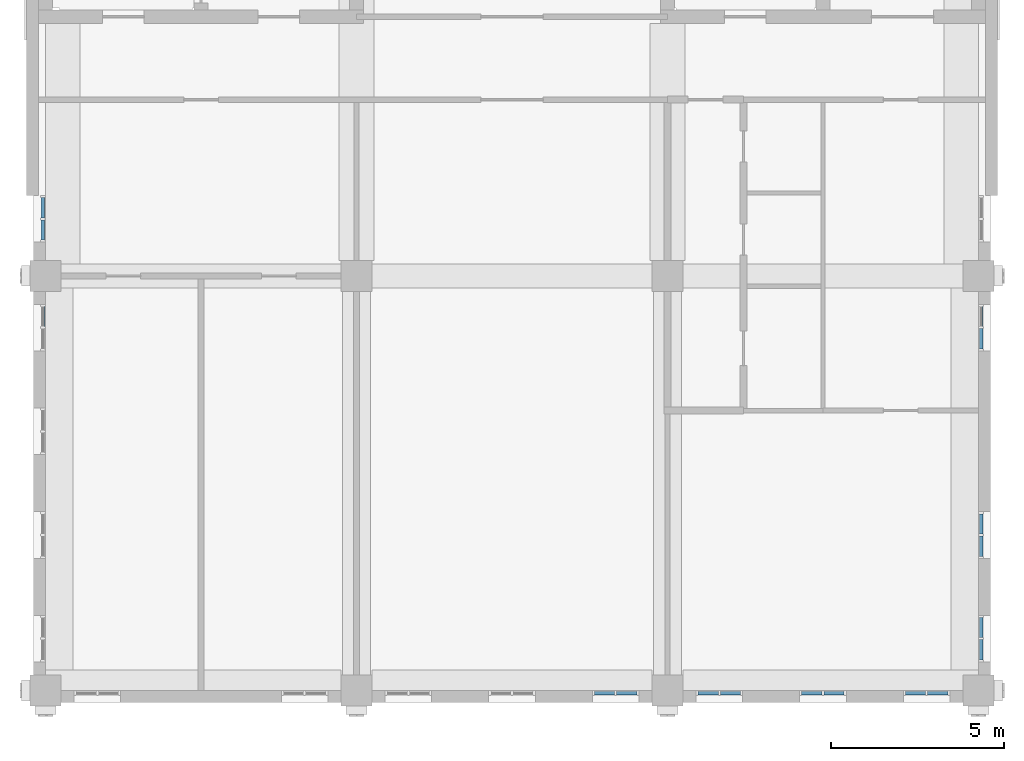
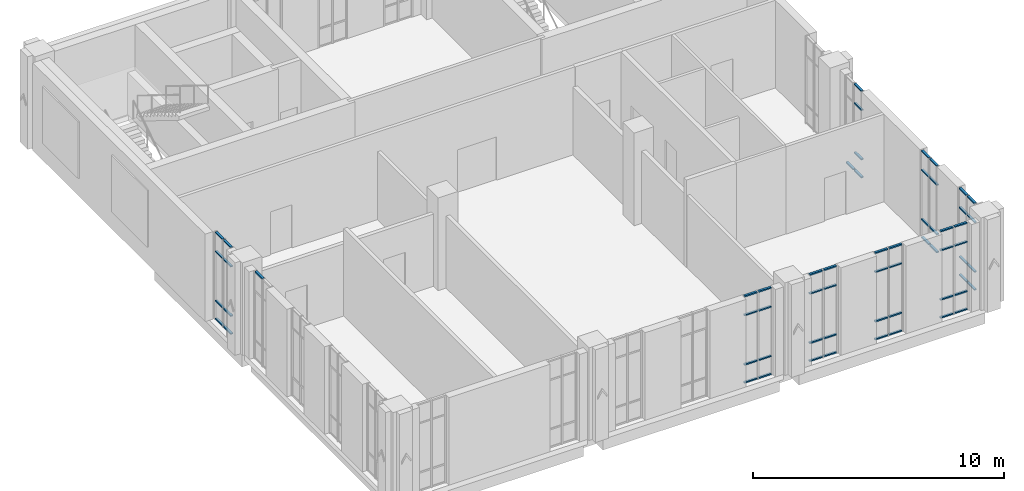
# One storey, part 5 of 13: 62 members, 9 elements without a shape of their own.
"""IFC4 building model written with IfcOpenShell, lengths in metres."""

from ifc_helpers import new_model, si_unit, direction, frame, origin, origin_2d, place, context, subcontext, project, spatial, rectangle, extrude, material, layer, layer_set, material_profile, profile_set, type_object, element, aggregate, save


model = new_model("IFC4")

# Units and contexts
model_context = context("Model", 3, precision=1e-05, world=origin(), true_north=direction((0.0, 1.0)))
body_context = subcontext(model_context, "Body", "Model", "MODEL_VIEW")
ifc_project = project(units=[si_unit("LENGTHUNIT", "METRE"), si_unit("AREAUNIT", "SQUARE_METRE"), si_unit("VOLUMEUNIT", "CUBIC_METRE"), si_unit("PLANEANGLEUNIT", "RADIAN"), si_unit("MASSUNIT", "GRAM", prefix="KILO")], contexts=[model_context])

# Site, building, storey
site_placement = place(None, origin())
site = spatial("IfcSite", under=ifc_project, at=site_placement, CompositionType="ELEMENT")
building_placement = place(site_placement, origin())
building = spatial("IfcBuilding", under=site, at=building_placement, Name="Aurelan Courthouse", CompositionType="ELEMENT")
storey_placement = place(building_placement, frame((0.0, 0.0, 48.89990234375)))
storey = spatial("IfcBuildingStorey", under=building, at=storey_placement, Name="L09", CompositionType="ELEMENT", Elevation=48.89990234375)

# Curtain wall, members
ifc_material_1 = material(Name="Bronze-finished aluminium and glass", Category="aluminium")
ifc_layer = layer(ifc_material_1, 0.14990234375)
ifc_layer_set = layer_set([ifc_layer], Name="Bronze-finished aluminium and glass")
curtain_wall_type = type_object("IfcCurtainWallType", Name="Curtain wall 1350 x 4250", PredefinedType="NOTDEFINED", material=ifc_layer_set)
curtain_wall_1_placement = place(storey_placement, origin())
curtain_wall_1 = element("IfcCurtainWall", 1, at=curtain_wall_1_placement, inside=storey, type_object=curtain_wall_type, Name="Curtain wall CW-V5-L09-S05", PredefinedType="NOTDEFINED")
ifc_material_2 = material(Name="Bronze-finished aluminium", Category="aluminium")
ifc_material_profile = material_profile(ifc_material_2, rectangle(XDim=0.10009765625, YDim=0.06005859375, at=origin_2d()), Name="Bronze transom 60 x 100")
ifc_profile_set = profile_set([ifc_material_profile], Name="Bronze-finished aluminium")
member_type = type_object("IfcMemberType", Name="Curtain wall transom 60 x 100", PredefinedType="USERDEFINED", material=ifc_profile_set)
member_1_placement = place(storey_placement, frame((15.885009765625, -0.074951171875, 0.030029296875), z_axis=(1.0, 0.0, 0.0), x_axis=(0.0, 1.0, 0.0)))
member_1 = element("IfcMember", 2, at=member_1_placement, type_object=member_type, Name="CW-V5-L09-S05 transom 1.1", ObjectType="TRANSOM", PredefinedType="USERDEFINED", context=body_context, shape_type="SweptSolid", body=[
    extrude(rectangle(XDim=0.10009765625, YDim=0.06005859375, at=origin_2d()), origin(), (0.0, 0.0, 1.0), 0.5849609375),
])
member_2_placement = place(storey_placement, frame((15.885009765625, -0.074951171875, 0.900146484375), z_axis=(1.0, 0.0, 0.0), x_axis=(0.0, 1.0, 0.0)))
member_2 = element("IfcMember", 3, at=member_2_placement, type_object=member_type, Name="CW-V5-L09-S05 transom 1.2", ObjectType="TRANSOM", PredefinedType="USERDEFINED", context=body_context, shape_type="SweptSolid", body=[
    extrude(rectangle(XDim=0.10009765625, YDim=0.06005859375, at=origin_2d()), origin(), (0.0, 0.0, 1.0), 0.5849609375),
])
member_3_placement = place(storey_placement, frame((15.885009765625, -0.074951171875, 3.300048828125), z_axis=(1.0, 0.0, 0.0), x_axis=(0.0, 1.0, 0.0)))
member_3 = element("IfcMember", 4, at=member_3_placement, type_object=member_type, Name="CW-V5-L09-S05 transom 1.3", ObjectType="TRANSOM", PredefinedType="USERDEFINED", context=body_context, shape_type="SweptSolid", body=[
    extrude(rectangle(XDim=0.10009765625, YDim=0.06005859375, at=origin_2d()), origin(), (0.0, 0.0, 1.0), 0.5849609375),
])
member_4_placement = place(storey_placement, frame((15.885009765625, -0.074951171875, 4.22021484375), z_axis=(1.0, 0.0, 0.0), x_axis=(0.0, 1.0, 0.0)))
member_4 = element("IfcMember", 5, at=member_4_placement, type_object=member_type, Name="CW-V5-L09-S05 transom 1.4", ObjectType="TRANSOM", PredefinedType="USERDEFINED", context=body_context, shape_type="SweptSolid", body=[
    extrude(rectangle(XDim=0.10009765625, YDim=0.06005859375, at=origin_2d()), origin(), (0.0, 0.0, 1.0), 0.5849609375),
])
member_5_placement = place(storey_placement, frame((16.530029296875, -0.074951171875, 0.030029296875), z_axis=(1.0, 0.0, 0.0), x_axis=(0.0, 1.0, 0.0)))
member_5 = element("IfcMember", 6, at=member_5_placement, type_object=member_type, Name="CW-V5-L09-S05 transom 2.1", ObjectType="TRANSOM", PredefinedType="USERDEFINED", context=body_context, shape_type="SweptSolid", body=[
    extrude(rectangle(XDim=0.10009765625, YDim=0.06005859375, at=origin_2d()), origin(), (0.0, 0.0, 1.0), 0.5849609375),
])
member_6_placement = place(storey_placement, frame((16.530029296875, -0.074951171875, 0.900146484375), z_axis=(1.0, 0.0, 0.0), x_axis=(0.0, 1.0, 0.0)))
member_6 = element("IfcMember", 7, at=member_6_placement, type_object=member_type, Name="CW-V5-L09-S05 transom 2.2", ObjectType="TRANSOM", PredefinedType="USERDEFINED", context=body_context, shape_type="SweptSolid", body=[
    extrude(rectangle(XDim=0.10009765625, YDim=0.06005859375, at=origin_2d()), origin(), (0.0, 0.0, 1.0), 0.5849609375),
])
member_7_placement = place(storey_placement, frame((16.530029296875, -0.074951171875, 3.300048828125), z_axis=(1.0, 0.0, 0.0), x_axis=(0.0, 1.0, 0.0)))
member_7 = element("IfcMember", 8, at=member_7_placement, type_object=member_type, Name="CW-V5-L09-S05 transom 2.3", ObjectType="TRANSOM", PredefinedType="USERDEFINED", context=body_context, shape_type="SweptSolid", body=[
    extrude(rectangle(XDim=0.10009765625, YDim=0.06005859375, at=origin_2d()), origin(), (0.0, 0.0, 1.0), 0.5849609375),
])
member_8_placement = place(storey_placement, frame((16.530029296875, -0.074951171875, 4.22021484375), z_axis=(1.0, 0.0, 0.0), x_axis=(0.0, 1.0, 0.0)))
member_8 = element("IfcMember", 9, at=member_8_placement, type_object=member_type, Name="CW-V5-L09-S05 transom 2.4", ObjectType="TRANSOM", PredefinedType="USERDEFINED", context=body_context, shape_type="SweptSolid", body=[
    extrude(rectangle(XDim=0.10009765625, YDim=0.06005859375, at=origin_2d()), origin(), (0.0, 0.0, 1.0), 0.5849609375),
])
aggregate(curtain_wall_1, [member_1, member_2, member_3, member_4, member_5, member_6, member_7, member_8])

curtain_wall_2_placement = place(storey_placement, origin())
curtain_wall_2 = element("IfcCurtainWall", 10, at=curtain_wall_2_placement, inside=storey, type_object=curtain_wall_type, Name="Curtain wall CW-V5-L09-S06", PredefinedType="NOTDEFINED")
member_9_placement = place(storey_placement, frame((18.885009765625, -0.074951171875, 0.030029296875), z_axis=(1.0, 0.0, 0.0), x_axis=(0.0, 1.0, 0.0)))
member_9 = element("IfcMember", 11, at=member_9_placement, type_object=member_type, Name="CW-V5-L09-S06 transom 1.1", ObjectType="TRANSOM", PredefinedType="USERDEFINED", context=body_context, shape_type="SweptSolid", body=[
    extrude(rectangle(XDim=0.10009765625, YDim=0.06005859375, at=origin_2d()), origin(), (0.0, 0.0, 1.0), 0.5849609375),
])
member_10_placement = place(storey_placement, frame((18.885009765625, -0.074951171875, 0.900146484375), z_axis=(1.0, 0.0, 0.0), x_axis=(0.0, 1.0, 0.0)))
member_10 = element("IfcMember", 12, at=member_10_placement, type_object=member_type, Name="CW-V5-L09-S06 transom 1.2", ObjectType="TRANSOM", PredefinedType="USERDEFINED", context=body_context, shape_type="SweptSolid", body=[
    extrude(rectangle(XDim=0.10009765625, YDim=0.06005859375, at=origin_2d()), origin(), (0.0, 0.0, 1.0), 0.5849609375),
])
member_11_placement = place(storey_placement, frame((18.885009765625, -0.074951171875, 3.300048828125), z_axis=(1.0, 0.0, 0.0), x_axis=(0.0, 1.0, 0.0)))
member_11 = element("IfcMember", 13, at=member_11_placement, type_object=member_type, Name="CW-V5-L09-S06 transom 1.3", ObjectType="TRANSOM", PredefinedType="USERDEFINED", context=body_context, shape_type="SweptSolid", body=[
    extrude(rectangle(XDim=0.10009765625, YDim=0.06005859375, at=origin_2d()), origin(), (0.0, 0.0, 1.0), 0.5849609375),
])
member_12_placement = place(storey_placement, frame((18.885009765625, -0.074951171875, 4.22021484375), z_axis=(1.0, 0.0, 0.0), x_axis=(0.0, 1.0, 0.0)))
member_12 = element("IfcMember", 14, at=member_12_placement, type_object=member_type, Name="CW-V5-L09-S06 transom 1.4", ObjectType="TRANSOM", PredefinedType="USERDEFINED", context=body_context, shape_type="SweptSolid", body=[
    extrude(rectangle(XDim=0.10009765625, YDim=0.06005859375, at=origin_2d()), origin(), (0.0, 0.0, 1.0), 0.5849609375),
])
member_13_placement = place(storey_placement, frame((19.530029296875, -0.074951171875, 0.030029296875), z_axis=(1.0, 0.0, 0.0), x_axis=(0.0, 1.0, 0.0)))
member_13 = element("IfcMember", 15, at=member_13_placement, type_object=member_type, Name="CW-V5-L09-S06 transom 2.1", ObjectType="TRANSOM", PredefinedType="USERDEFINED", context=body_context, shape_type="SweptSolid", body=[
    extrude(rectangle(XDim=0.10009765625, YDim=0.06005859375, at=origin_2d()), origin(), (0.0, 0.0, 1.0), 0.5849609375),
])
member_14_placement = place(storey_placement, frame((19.530029296875, -0.074951171875, 0.900146484375), z_axis=(1.0, 0.0, 0.0), x_axis=(0.0, 1.0, 0.0)))
member_14 = element("IfcMember", 16, at=member_14_placement, type_object=member_type, Name="CW-V5-L09-S06 transom 2.2", ObjectType="TRANSOM", PredefinedType="USERDEFINED", context=body_context, shape_type="SweptSolid", body=[
    extrude(rectangle(XDim=0.10009765625, YDim=0.06005859375, at=origin_2d()), origin(), (0.0, 0.0, 1.0), 0.5849609375),
])
member_15_placement = place(storey_placement, frame((19.530029296875, -0.074951171875, 3.300048828125), z_axis=(1.0, 0.0, 0.0), x_axis=(0.0, 1.0, 0.0)))
member_15 = element("IfcMember", 17, at=member_15_placement, type_object=member_type, Name="CW-V5-L09-S06 transom 2.3", ObjectType="TRANSOM", PredefinedType="USERDEFINED", context=body_context, shape_type="SweptSolid", body=[
    extrude(rectangle(XDim=0.10009765625, YDim=0.06005859375, at=origin_2d()), origin(), (0.0, 0.0, 1.0), 0.5849609375),
])
member_16_placement = place(storey_placement, frame((19.530029296875, -0.074951171875, 4.22021484375), z_axis=(1.0, 0.0, 0.0), x_axis=(0.0, 1.0, 0.0)))
member_16 = element("IfcMember", 18, at=member_16_placement, type_object=member_type, Name="CW-V5-L09-S06 transom 2.4", ObjectType="TRANSOM", PredefinedType="USERDEFINED", context=body_context, shape_type="SweptSolid", body=[
    extrude(rectangle(XDim=0.10009765625, YDim=0.06005859375, at=origin_2d()), origin(), (0.0, 0.0, 1.0), 0.5849609375),
])
aggregate(curtain_wall_2, [member_9, member_10, member_11, member_12, member_13, member_14, member_15, member_16])

curtain_wall_3_placement = place(storey_placement, origin())
curtain_wall_3 = element("IfcCurtainWall", 19, at=curtain_wall_3_placement, inside=storey, type_object=curtain_wall_type, Name="Curtain wall CW-V5-L09-S07", PredefinedType="NOTDEFINED")
member_17_placement = place(storey_placement, frame((21.885009765625, -0.074951171875, 0.030029296875), z_axis=(1.0, 0.0, 0.0), x_axis=(0.0, 1.0, 0.0)))
member_17 = element("IfcMember", 20, at=member_17_placement, type_object=member_type, Name="CW-V5-L09-S07 transom 1.1", ObjectType="TRANSOM", PredefinedType="USERDEFINED", context=body_context, shape_type="SweptSolid", body=[
    extrude(rectangle(XDim=0.10009765625, YDim=0.06005859375, at=origin_2d()), origin(), (0.0, 0.0, 1.0), 0.5849609375),
])
member_18_placement = place(storey_placement, frame((21.885009765625, -0.074951171875, 0.900146484375), z_axis=(1.0, 0.0, 0.0), x_axis=(0.0, 1.0, 0.0)))
member_18 = element("IfcMember", 21, at=member_18_placement, type_object=member_type, Name="CW-V5-L09-S07 transom 1.2", ObjectType="TRANSOM", PredefinedType="USERDEFINED", context=body_context, shape_type="SweptSolid", body=[
    extrude(rectangle(XDim=0.10009765625, YDim=0.06005859375, at=origin_2d()), origin(), (0.0, 0.0, 1.0), 0.5849609375),
])
member_19_placement = place(storey_placement, frame((21.885009765625, -0.074951171875, 3.300048828125), z_axis=(1.0, 0.0, 0.0), x_axis=(0.0, 1.0, 0.0)))
member_19 = element("IfcMember", 22, at=member_19_placement, type_object=member_type, Name="CW-V5-L09-S07 transom 1.3", ObjectType="TRANSOM", PredefinedType="USERDEFINED", context=body_context, shape_type="SweptSolid", body=[
    extrude(rectangle(XDim=0.10009765625, YDim=0.06005859375, at=origin_2d()), origin(), (0.0, 0.0, 1.0), 0.5849609375),
])
member_20_placement = place(storey_placement, frame((21.885009765625, -0.074951171875, 4.22021484375), z_axis=(1.0, 0.0, 0.0), x_axis=(0.0, 1.0, 0.0)))
member_20 = element("IfcMember", 23, at=member_20_placement, type_object=member_type, Name="CW-V5-L09-S07 transom 1.4", ObjectType="TRANSOM", PredefinedType="USERDEFINED", context=body_context, shape_type="SweptSolid", body=[
    extrude(rectangle(XDim=0.10009765625, YDim=0.06005859375, at=origin_2d()), origin(), (0.0, 0.0, 1.0), 0.5849609375),
])
member_21_placement = place(storey_placement, frame((22.530029296875, -0.074951171875, 0.030029296875), z_axis=(1.0, 0.0, 0.0), x_axis=(0.0, 1.0, 0.0)))
member_21 = element("IfcMember", 24, at=member_21_placement, type_object=member_type, Name="CW-V5-L09-S07 transom 2.1", ObjectType="TRANSOM", PredefinedType="USERDEFINED", context=body_context, shape_type="SweptSolid", body=[
    extrude(rectangle(XDim=0.10009765625, YDim=0.06005859375, at=origin_2d()), origin(), (0.0, 0.0, 1.0), 0.5849609375),
])
member_22_placement = place(storey_placement, frame((22.530029296875, -0.074951171875, 0.900146484375), z_axis=(1.0, 0.0, 0.0), x_axis=(0.0, 1.0, 0.0)))
member_22 = element("IfcMember", 25, at=member_22_placement, type_object=member_type, Name="CW-V5-L09-S07 transom 2.2", ObjectType="TRANSOM", PredefinedType="USERDEFINED", context=body_context, shape_type="SweptSolid", body=[
    extrude(rectangle(XDim=0.10009765625, YDim=0.06005859375, at=origin_2d()), origin(), (0.0, 0.0, 1.0), 0.5849609375),
])
member_23_placement = place(storey_placement, frame((22.530029296875, -0.074951171875, 3.300048828125), z_axis=(1.0, 0.0, 0.0), x_axis=(0.0, 1.0, 0.0)))
member_23 = element("IfcMember", 26, at=member_23_placement, type_object=member_type, Name="CW-V5-L09-S07 transom 2.3", ObjectType="TRANSOM", PredefinedType="USERDEFINED", context=body_context, shape_type="SweptSolid", body=[
    extrude(rectangle(XDim=0.10009765625, YDim=0.06005859375, at=origin_2d()), origin(), (0.0, 0.0, 1.0), 0.5849609375),
])
member_24_placement = place(storey_placement, frame((22.530029296875, -0.074951171875, 4.22021484375), z_axis=(1.0, 0.0, 0.0), x_axis=(0.0, 1.0, 0.0)))
member_24 = element("IfcMember", 27, at=member_24_placement, type_object=member_type, Name="CW-V5-L09-S07 transom 2.4", ObjectType="TRANSOM", PredefinedType="USERDEFINED", context=body_context, shape_type="SweptSolid", body=[
    extrude(rectangle(XDim=0.10009765625, YDim=0.06005859375, at=origin_2d()), origin(), (0.0, 0.0, 1.0), 0.5849609375),
])
aggregate(curtain_wall_3, [member_17, member_18, member_19, member_20, member_21, member_22, member_23, member_24])

curtain_wall_4_placement = place(storey_placement, origin())
curtain_wall_4 = element("IfcCurtainWall", 28, at=curtain_wall_4_placement, inside=storey, type_object=curtain_wall_type, Name="Curtain wall CW-V5-L09-S08", PredefinedType="NOTDEFINED")
member_25_placement = place(storey_placement, frame((24.885009765625, -0.074951171875, 0.030029296875), z_axis=(1.0, 0.0, 0.0), x_axis=(0.0, 1.0, 0.0)))
member_25 = element("IfcMember", 29, at=member_25_placement, type_object=member_type, Name="CW-V5-L09-S08 transom 1.1", ObjectType="TRANSOM", PredefinedType="USERDEFINED", context=body_context, shape_type="SweptSolid", body=[
    extrude(rectangle(XDim=0.10009765625, YDim=0.06005859375, at=origin_2d()), origin(), (0.0, 0.0, 1.0), 0.5849609375),
])
member_26_placement = place(storey_placement, frame((24.885009765625, -0.074951171875, 0.900146484375), z_axis=(1.0, 0.0, 0.0), x_axis=(0.0, 1.0, 0.0)))
member_26 = element("IfcMember", 30, at=member_26_placement, type_object=member_type, Name="CW-V5-L09-S08 transom 1.2", ObjectType="TRANSOM", PredefinedType="USERDEFINED", context=body_context, shape_type="SweptSolid", body=[
    extrude(rectangle(XDim=0.10009765625, YDim=0.06005859375, at=origin_2d()), origin(), (0.0, 0.0, 1.0), 0.5849609375),
])
member_27_placement = place(storey_placement, frame((24.885009765625, -0.074951171875, 3.300048828125), z_axis=(1.0, 0.0, 0.0), x_axis=(0.0, 1.0, 0.0)))
member_27 = element("IfcMember", 31, at=member_27_placement, type_object=member_type, Name="CW-V5-L09-S08 transom 1.3", ObjectType="TRANSOM", PredefinedType="USERDEFINED", context=body_context, shape_type="SweptSolid", body=[
    extrude(rectangle(XDim=0.10009765625, YDim=0.06005859375, at=origin_2d()), origin(), (0.0, 0.0, 1.0), 0.5849609375),
])
member_28_placement = place(storey_placement, frame((24.885009765625, -0.074951171875, 4.22021484375), z_axis=(1.0, 0.0, 0.0), x_axis=(0.0, 1.0, 0.0)))
member_28 = element("IfcMember", 32, at=member_28_placement, type_object=member_type, Name="CW-V5-L09-S08 transom 1.4", ObjectType="TRANSOM", PredefinedType="USERDEFINED", context=body_context, shape_type="SweptSolid", body=[
    extrude(rectangle(XDim=0.10009765625, YDim=0.06005859375, at=origin_2d()), origin(), (0.0, 0.0, 1.0), 0.5849609375),
])
member_29_placement = place(storey_placement, frame((25.530029296875, -0.074951171875, 0.030029296875), z_axis=(1.0, 0.0, 0.0), x_axis=(0.0, 1.0, 0.0)))
member_29 = element("IfcMember", 33, at=member_29_placement, type_object=member_type, Name="CW-V5-L09-S08 transom 2.1", ObjectType="TRANSOM", PredefinedType="USERDEFINED", context=body_context, shape_type="SweptSolid", body=[
    extrude(rectangle(XDim=0.10009765625, YDim=0.06005859375, at=origin_2d()), origin(), (0.0, 0.0, 1.0), 0.5849609375),
])
member_30_placement = place(storey_placement, frame((25.530029296875, -0.074951171875, 0.900146484375), z_axis=(1.0, 0.0, 0.0), x_axis=(0.0, 1.0, 0.0)))
member_30 = element("IfcMember", 34, at=member_30_placement, type_object=member_type, Name="CW-V5-L09-S08 transom 2.2", ObjectType="TRANSOM", PredefinedType="USERDEFINED", context=body_context, shape_type="SweptSolid", body=[
    extrude(rectangle(XDim=0.10009765625, YDim=0.06005859375, at=origin_2d()), origin(), (0.0, 0.0, 1.0), 0.5849609375),
])
member_31_placement = place(storey_placement, frame((25.530029296875, -0.074951171875, 3.300048828125), z_axis=(1.0, 0.0, 0.0), x_axis=(0.0, 1.0, 0.0)))
member_31 = element("IfcMember", 35, at=member_31_placement, type_object=member_type, Name="CW-V5-L09-S08 transom 2.3", ObjectType="TRANSOM", PredefinedType="USERDEFINED", context=body_context, shape_type="SweptSolid", body=[
    extrude(rectangle(XDim=0.10009765625, YDim=0.06005859375, at=origin_2d()), origin(), (0.0, 0.0, 1.0), 0.5849609375),
])
member_32_placement = place(storey_placement, frame((25.530029296875, -0.074951171875, 4.22021484375), z_axis=(1.0, 0.0, 0.0), x_axis=(0.0, 1.0, 0.0)))
member_32 = element("IfcMember", 36, at=member_32_placement, type_object=member_type, Name="CW-V5-L09-S08 transom 2.4", ObjectType="TRANSOM", PredefinedType="USERDEFINED", context=body_context, shape_type="SweptSolid", body=[
    extrude(rectangle(XDim=0.10009765625, YDim=0.06005859375, at=origin_2d()), origin(), (0.0, 0.0, 1.0), 0.5849609375),
])
aggregate(curtain_wall_4, [member_25, member_26, member_27, member_28, member_29, member_30, member_31, member_32])

curtain_wall_5_placement = place(storey_placement, origin())
curtain_wall_5 = element("IfcCurtainWall", 37, at=curtain_wall_5_placement, inside=storey, type_object=curtain_wall_type, Name="Curtain wall CW-V5-L09-E01", PredefinedType="NOTDEFINED")
member_33_placement = place(storey_placement, frame((27.074951171875, 0.885009765625, 0.030029296875), z_axis=(0.0, 1.0, 0.0), x_axis=(-1.0, 0.0, 0.0)))
member_33 = element("IfcMember", 38, at=member_33_placement, type_object=member_type, Name="CW-V5-L09-E01 transom 1.1", ObjectType="TRANSOM", PredefinedType="USERDEFINED", context=body_context, shape_type="SweptSolid", body=[
    extrude(rectangle(XDim=0.10009765625, YDim=0.06005859375, at=origin_2d()), origin(), (0.0, 0.0, 1.0), 0.5849609375),
])
member_34_placement = place(storey_placement, frame((27.074951171875, 0.885009765625, 0.900146484375), z_axis=(0.0, 1.0, 0.0), x_axis=(-1.0, 0.0, 0.0)))
member_34 = element("IfcMember", 39, at=member_34_placement, type_object=member_type, Name="CW-V5-L09-E01 transom 1.2", ObjectType="TRANSOM", PredefinedType="USERDEFINED", context=body_context, shape_type="SweptSolid", body=[
    extrude(rectangle(XDim=0.10009765625, YDim=0.06005859375, at=origin_2d()), origin(), (0.0, 0.0, 1.0), 0.5849609375),
])
member_35_placement = place(storey_placement, frame((27.074951171875, 0.885009765625, 3.300048828125), z_axis=(0.0, 1.0, 0.0), x_axis=(-1.0, 0.0, 0.0)))
member_35 = element("IfcMember", 40, at=member_35_placement, type_object=member_type, Name="CW-V5-L09-E01 transom 1.3", ObjectType="TRANSOM", PredefinedType="USERDEFINED", context=body_context, shape_type="SweptSolid", body=[
    extrude(rectangle(XDim=0.10009765625, YDim=0.06005859375, at=origin_2d()), origin(), (0.0, 0.0, 1.0), 0.5849609375),
])
member_36_placement = place(storey_placement, frame((27.074951171875, 0.885009765625, 4.22021484375), z_axis=(0.0, 1.0, 0.0), x_axis=(-1.0, 0.0, 0.0)))
member_36 = element("IfcMember", 41, at=member_36_placement, type_object=member_type, Name="CW-V5-L09-E01 transom 1.4", ObjectType="TRANSOM", PredefinedType="USERDEFINED", context=body_context, shape_type="SweptSolid", body=[
    extrude(rectangle(XDim=0.10009765625, YDim=0.06005859375, at=origin_2d()), origin(), (0.0, 0.0, 1.0), 0.5849609375),
])
member_37_placement = place(storey_placement, frame((27.074951171875, 1.530029296875, 0.030029296875), z_axis=(0.0, 1.0, 0.0), x_axis=(-1.0, 0.0, 0.0)))
member_37 = element("IfcMember", 42, at=member_37_placement, type_object=member_type, Name="CW-V5-L09-E01 transom 2.1", ObjectType="TRANSOM", PredefinedType="USERDEFINED", context=body_context, shape_type="SweptSolid", body=[
    extrude(rectangle(XDim=0.10009765625, YDim=0.06005859375, at=origin_2d()), origin(), (0.0, 0.0, 1.0), 0.5849609375),
])
member_38_placement = place(storey_placement, frame((27.074951171875, 1.530029296875, 0.900146484375), z_axis=(0.0, 1.0, 0.0), x_axis=(-1.0, 0.0, 0.0)))
member_38 = element("IfcMember", 43, at=member_38_placement, type_object=member_type, Name="CW-V5-L09-E01 transom 2.2", ObjectType="TRANSOM", PredefinedType="USERDEFINED", context=body_context, shape_type="SweptSolid", body=[
    extrude(rectangle(XDim=0.10009765625, YDim=0.06005859375, at=origin_2d()), origin(), (0.0, 0.0, 1.0), 0.5849609375),
])
member_39_placement = place(storey_placement, frame((27.074951171875, 1.530029296875, 3.300048828125), z_axis=(0.0, 1.0, 0.0), x_axis=(-1.0, 0.0, 0.0)))
member_39 = element("IfcMember", 44, at=member_39_placement, type_object=member_type, Name="CW-V5-L09-E01 transom 2.3", ObjectType="TRANSOM", PredefinedType="USERDEFINED", context=body_context, shape_type="SweptSolid", body=[
    extrude(rectangle(XDim=0.10009765625, YDim=0.06005859375, at=origin_2d()), origin(), (0.0, 0.0, 1.0), 0.5849609375),
])
member_40_placement = place(storey_placement, frame((27.074951171875, 1.530029296875, 4.22021484375), z_axis=(0.0, 1.0, 0.0), x_axis=(-1.0, 0.0, 0.0)))
member_40 = element("IfcMember", 45, at=member_40_placement, type_object=member_type, Name="CW-V5-L09-E01 transom 2.4", ObjectType="TRANSOM", PredefinedType="USERDEFINED", context=body_context, shape_type="SweptSolid", body=[
    extrude(rectangle(XDim=0.10009765625, YDim=0.06005859375, at=origin_2d()), origin(), (0.0, 0.0, 1.0), 0.5849609375),
])
aggregate(curtain_wall_5, [member_33, member_34, member_35, member_36, member_37, member_38, member_39, member_40])

curtain_wall_6_placement = place(storey_placement, origin())
curtain_wall_6 = element("IfcCurtainWall", 46, at=curtain_wall_6_placement, inside=storey, type_object=curtain_wall_type, Name="Curtain wall CW-V5-L09-E02", PredefinedType="NOTDEFINED")
member_41_placement = place(storey_placement, frame((27.074951171875, 3.885009765625, 0.030029296875), z_axis=(0.0, 1.0, 0.0), x_axis=(-1.0, 0.0, 0.0)))
member_41 = element("IfcMember", 47, at=member_41_placement, type_object=member_type, Name="CW-V5-L09-E02 transom 1.1", ObjectType="TRANSOM", PredefinedType="USERDEFINED", context=body_context, shape_type="SweptSolid", body=[
    extrude(rectangle(XDim=0.10009765625, YDim=0.06005859375, at=origin_2d()), origin(), (0.0, 0.0, 1.0), 0.5849609375),
])
member_42_placement = place(storey_placement, frame((27.074951171875, 3.885009765625, 0.900146484375), z_axis=(0.0, 1.0, 0.0), x_axis=(-1.0, 0.0, 0.0)))
member_42 = element("IfcMember", 48, at=member_42_placement, type_object=member_type, Name="CW-V5-L09-E02 transom 1.2", ObjectType="TRANSOM", PredefinedType="USERDEFINED", context=body_context, shape_type="SweptSolid", body=[
    extrude(rectangle(XDim=0.10009765625, YDim=0.06005859375, at=origin_2d()), origin(), (0.0, 0.0, 1.0), 0.5849609375),
])
member_43_placement = place(storey_placement, frame((27.074951171875, 3.885009765625, 3.300048828125), z_axis=(0.0, 1.0, 0.0), x_axis=(-1.0, 0.0, 0.0)))
member_43 = element("IfcMember", 49, at=member_43_placement, type_object=member_type, Name="CW-V5-L09-E02 transom 1.3", ObjectType="TRANSOM", PredefinedType="USERDEFINED", context=body_context, shape_type="SweptSolid", body=[
    extrude(rectangle(XDim=0.10009765625, YDim=0.06005859375, at=origin_2d()), origin(), (0.0, 0.0, 1.0), 0.5849609375),
])
member_44_placement = place(storey_placement, frame((27.074951171875, 3.885009765625, 4.22021484375), z_axis=(0.0, 1.0, 0.0), x_axis=(-1.0, 0.0, 0.0)))
member_44 = element("IfcMember", 50, at=member_44_placement, type_object=member_type, Name="CW-V5-L09-E02 transom 1.4", ObjectType="TRANSOM", PredefinedType="USERDEFINED", context=body_context, shape_type="SweptSolid", body=[
    extrude(rectangle(XDim=0.10009765625, YDim=0.06005859375, at=origin_2d()), origin(), (0.0, 0.0, 1.0), 0.5849609375),
])
member_45_placement = place(storey_placement, frame((27.074951171875, 4.530029296875, 0.030029296875), z_axis=(0.0, 1.0, 0.0), x_axis=(-1.0, 0.0, 0.0)))
member_45 = element("IfcMember", 51, at=member_45_placement, type_object=member_type, Name="CW-V5-L09-E02 transom 2.1", ObjectType="TRANSOM", PredefinedType="USERDEFINED", context=body_context, shape_type="SweptSolid", body=[
    extrude(rectangle(XDim=0.10009765625, YDim=0.06005859375, at=origin_2d()), origin(), (0.0, 0.0, 1.0), 0.5849609375),
])
member_46_placement = place(storey_placement, frame((27.074951171875, 4.530029296875, 0.900146484375), z_axis=(0.0, 1.0, 0.0), x_axis=(-1.0, 0.0, 0.0)))
member_46 = element("IfcMember", 52, at=member_46_placement, type_object=member_type, Name="CW-V5-L09-E02 transom 2.2", ObjectType="TRANSOM", PredefinedType="USERDEFINED", context=body_context, shape_type="SweptSolid", body=[
    extrude(rectangle(XDim=0.10009765625, YDim=0.06005859375, at=origin_2d()), origin(), (0.0, 0.0, 1.0), 0.5849609375),
])
member_47_placement = place(storey_placement, frame((27.074951171875, 4.530029296875, 3.300048828125), z_axis=(0.0, 1.0, 0.0), x_axis=(-1.0, 0.0, 0.0)))
member_47 = element("IfcMember", 53, at=member_47_placement, type_object=member_type, Name="CW-V5-L09-E02 transom 2.3", ObjectType="TRANSOM", PredefinedType="USERDEFINED", context=body_context, shape_type="SweptSolid", body=[
    extrude(rectangle(XDim=0.10009765625, YDim=0.06005859375, at=origin_2d()), origin(), (0.0, 0.0, 1.0), 0.5849609375),
])
member_48_placement = place(storey_placement, frame((27.074951171875, 4.530029296875, 4.22021484375), z_axis=(0.0, 1.0, 0.0), x_axis=(-1.0, 0.0, 0.0)))
member_48 = element("IfcMember", 54, at=member_48_placement, type_object=member_type, Name="CW-V5-L09-E02 transom 2.4", ObjectType="TRANSOM", PredefinedType="USERDEFINED", context=body_context, shape_type="SweptSolid", body=[
    extrude(rectangle(XDim=0.10009765625, YDim=0.06005859375, at=origin_2d()), origin(), (0.0, 0.0, 1.0), 0.5849609375),
])
aggregate(curtain_wall_6, [member_41, member_42, member_43, member_44, member_45, member_46, member_47, member_48])

curtain_wall_7_placement = place(storey_placement, origin())
curtain_wall_7 = element("IfcCurtainWall", 55, at=curtain_wall_7_placement, inside=storey, type_object=curtain_wall_type, Name="Curtain wall CW-V5-L09-E03", PredefinedType="NOTDEFINED")
member_49_placement = place(storey_placement, frame((27.074951171875, 9.885009765625, 0.030029296875), z_axis=(0.0, 1.0, 0.0), x_axis=(-1.0, 0.0, 0.0)))
member_49 = element("IfcMember", 56, at=member_49_placement, type_object=member_type, Name="CW-V5-L09-E03 transom 1.1", ObjectType="TRANSOM", PredefinedType="USERDEFINED", context=body_context, shape_type="SweptSolid", body=[
    extrude(rectangle(XDim=0.10009765625, YDim=0.06005859375, at=origin_2d()), origin(), (0.0, 0.0, 1.0), 0.5849609375),
])
member_50_placement = place(storey_placement, frame((27.074951171875, 9.885009765625, 0.900146484375), z_axis=(0.0, 1.0, 0.0), x_axis=(-1.0, 0.0, 0.0)))
member_50 = element("IfcMember", 57, at=member_50_placement, type_object=member_type, Name="CW-V5-L09-E03 transom 1.2", ObjectType="TRANSOM", PredefinedType="USERDEFINED", context=body_context, shape_type="SweptSolid", body=[
    extrude(rectangle(XDim=0.10009765625, YDim=0.06005859375, at=origin_2d()), origin(), (0.0, 0.0, 1.0), 0.5849609375),
])
member_51_placement = place(storey_placement, frame((27.074951171875, 9.885009765625, 3.300048828125), z_axis=(0.0, 1.0, 0.0), x_axis=(-1.0, 0.0, 0.0)))
member_51 = element("IfcMember", 58, at=member_51_placement, type_object=member_type, Name="CW-V5-L09-E03 transom 1.3", ObjectType="TRANSOM", PredefinedType="USERDEFINED", context=body_context, shape_type="SweptSolid", body=[
    extrude(rectangle(XDim=0.10009765625, YDim=0.06005859375, at=origin_2d()), origin(), (0.0, 0.0, 1.0), 0.5849609375),
])
member_52_placement = place(storey_placement, frame((27.074951171875, 9.885009765625, 4.22021484375), z_axis=(0.0, 1.0, 0.0), x_axis=(-1.0, 0.0, 0.0)))
member_52 = element("IfcMember", 59, at=member_52_placement, type_object=member_type, Name="CW-V5-L09-E03 transom 1.4", ObjectType="TRANSOM", PredefinedType="USERDEFINED", context=body_context, shape_type="SweptSolid", body=[
    extrude(rectangle(XDim=0.10009765625, YDim=0.06005859375, at=origin_2d()), origin(), (0.0, 0.0, 1.0), 0.5849609375),
])
member_53_placement = place(storey_placement, frame((27.074951171875, 10.530029296875, 0.030029296875), z_axis=(0.0, 1.0, 0.0), x_axis=(-1.0, 0.0, 0.0)))
member_53 = element("IfcMember", 60, at=member_53_placement, type_object=member_type, Name="CW-V5-L09-E03 transom 2.1", ObjectType="TRANSOM", PredefinedType="USERDEFINED", context=body_context, shape_type="SweptSolid", body=[
    extrude(rectangle(XDim=0.10009765625, YDim=0.06005859375, at=origin_2d()), origin(), (0.0, 0.0, 1.0), 0.5849609375),
])
aggregate(curtain_wall_7, [member_49, member_50, member_51, member_52, member_53])

# Curtain wall, member
curtain_wall_8_placement = place(storey_placement, origin())
curtain_wall_8 = element("IfcCurtainWall", 61, at=curtain_wall_8_placement, inside=storey, type_object=curtain_wall_type, Name="Curtain wall CW-V5-L09-W04", PredefinedType="NOTDEFINED")
member_54_placement = place(storey_placement, frame((-0.074951171875, 10.530029296875, 4.22021484375), z_axis=(0.0, 1.0, 0.0), x_axis=(-1.0, 0.0, 0.0)))
member_54 = element("IfcMember", 62, at=member_54_placement, type_object=member_type, Name="CW-V5-L09-W04 transom 2.4", ObjectType="TRANSOM", PredefinedType="USERDEFINED", context=body_context, shape_type="SweptSolid", body=[
    extrude(rectangle(XDim=0.10009765625, YDim=0.06005859375, at=origin_2d()), origin(), (0.0, 0.0, 1.0), 0.5849609375),
])
aggregate(curtain_wall_8, [member_54])

# Curtain wall, members
curtain_wall_9_placement = place(storey_placement, origin())
curtain_wall_9 = element("IfcCurtainWall", 63, at=curtain_wall_9_placement, inside=storey, type_object=curtain_wall_type, Name="Curtain wall CW-V5-L09-W05", PredefinedType="NOTDEFINED")
member_55_placement = place(storey_placement, frame((-0.074951171875, 13.034912109375, 0.030029296875), z_axis=(0.0, 1.0, 0.0), x_axis=(-1.0, 0.0, 0.0)))
member_55 = element("IfcMember", 64, at=member_55_placement, type_object=member_type, Name="CW-V5-L09-W05 transom 1.1", ObjectType="TRANSOM", PredefinedType="USERDEFINED", context=body_context, shape_type="SweptSolid", body=[
    extrude(rectangle(XDim=0.10009765625, YDim=0.06005859375, at=origin_2d()), origin(), (0.0, 0.0, 1.0), 0.585205078125),
])
member_56_placement = place(storey_placement, frame((-0.074951171875, 13.034912109375, 0.900146484375), z_axis=(0.0, 1.0, 0.0), x_axis=(-1.0, 0.0, 0.0)))
member_56 = element("IfcMember", 65, at=member_56_placement, type_object=member_type, Name="CW-V5-L09-W05 transom 1.2", ObjectType="TRANSOM", PredefinedType="USERDEFINED", context=body_context, shape_type="SweptSolid", body=[
    extrude(rectangle(XDim=0.10009765625, YDim=0.06005859375, at=origin_2d()), origin(), (0.0, 0.0, 1.0), 0.585205078125),
])
member_57_placement = place(storey_placement, frame((-0.074951171875, 13.034912109375, 3.300048828125), z_axis=(0.0, 1.0, 0.0), x_axis=(-1.0, 0.0, 0.0)))
member_57 = element("IfcMember", 66, at=member_57_placement, type_object=member_type, Name="CW-V5-L09-W05 transom 1.3", ObjectType="TRANSOM", PredefinedType="USERDEFINED", context=body_context, shape_type="SweptSolid", body=[
    extrude(rectangle(XDim=0.10009765625, YDim=0.06005859375, at=origin_2d()), origin(), (0.0, 0.0, 1.0), 0.585205078125),
])
member_58_placement = place(storey_placement, frame((-0.074951171875, 13.034912109375, 4.22021484375), z_axis=(0.0, 1.0, 0.0), x_axis=(-1.0, 0.0, 0.0)))
member_58 = element("IfcMember", 67, at=member_58_placement, type_object=member_type, Name="CW-V5-L09-W05 transom 1.4", ObjectType="TRANSOM", PredefinedType="USERDEFINED", context=body_context, shape_type="SweptSolid", body=[
    extrude(rectangle(XDim=0.10009765625, YDim=0.06005859375, at=origin_2d()), origin(), (0.0, 0.0, 1.0), 0.585205078125),
])
member_59_placement = place(storey_placement, frame((-0.074951171875, 13.679931640625, 0.030029296875), z_axis=(0.0, 1.0, 0.0), x_axis=(-1.0, 0.0, 0.0)))
member_59 = element("IfcMember", 68, at=member_59_placement, type_object=member_type, Name="CW-V5-L09-W05 transom 2.1", ObjectType="TRANSOM", PredefinedType="USERDEFINED", context=body_context, shape_type="SweptSolid", body=[
    extrude(rectangle(XDim=0.10009765625, YDim=0.06005859375, at=origin_2d()), origin(), (0.0, 0.0, 1.0), 0.5849609375),
])
member_60_placement = place(storey_placement, frame((-0.074951171875, 13.679931640625, 0.900146484375), z_axis=(0.0, 1.0, 0.0), x_axis=(-1.0, 0.0, 0.0)))
member_60 = element("IfcMember", 69, at=member_60_placement, type_object=member_type, Name="CW-V5-L09-W05 transom 2.2", ObjectType="TRANSOM", PredefinedType="USERDEFINED", context=body_context, shape_type="SweptSolid", body=[
    extrude(rectangle(XDim=0.10009765625, YDim=0.06005859375, at=origin_2d()), origin(), (0.0, 0.0, 1.0), 0.5849609375),
])
member_61_placement = place(storey_placement, frame((-0.074951171875, 13.679931640625, 3.300048828125), z_axis=(0.0, 1.0, 0.0), x_axis=(-1.0, 0.0, 0.0)))
member_61 = element("IfcMember", 70, at=member_61_placement, type_object=member_type, Name="CW-V5-L09-W05 transom 2.3", ObjectType="TRANSOM", PredefinedType="USERDEFINED", context=body_context, shape_type="SweptSolid", body=[
    extrude(rectangle(XDim=0.10009765625, YDim=0.06005859375, at=origin_2d()), origin(), (0.0, 0.0, 1.0), 0.5849609375),
])
member_62_placement = place(storey_placement, frame((-0.074951171875, 13.679931640625, 4.22021484375), z_axis=(0.0, 1.0, 0.0), x_axis=(-1.0, 0.0, 0.0)))
member_62 = element("IfcMember", 71, at=member_62_placement, type_object=member_type, Name="CW-V5-L09-W05 transom 2.4", ObjectType="TRANSOM", PredefinedType="USERDEFINED", context=body_context, shape_type="SweptSolid", body=[
    extrude(rectangle(XDim=0.10009765625, YDim=0.06005859375, at=origin_2d()), origin(), (0.0, 0.0, 1.0), 0.5849609375),
])
aggregate(curtain_wall_9, [member_55, member_56, member_57, member_58, member_59, member_60, member_61, member_62])

save(model, "model.ifc")
